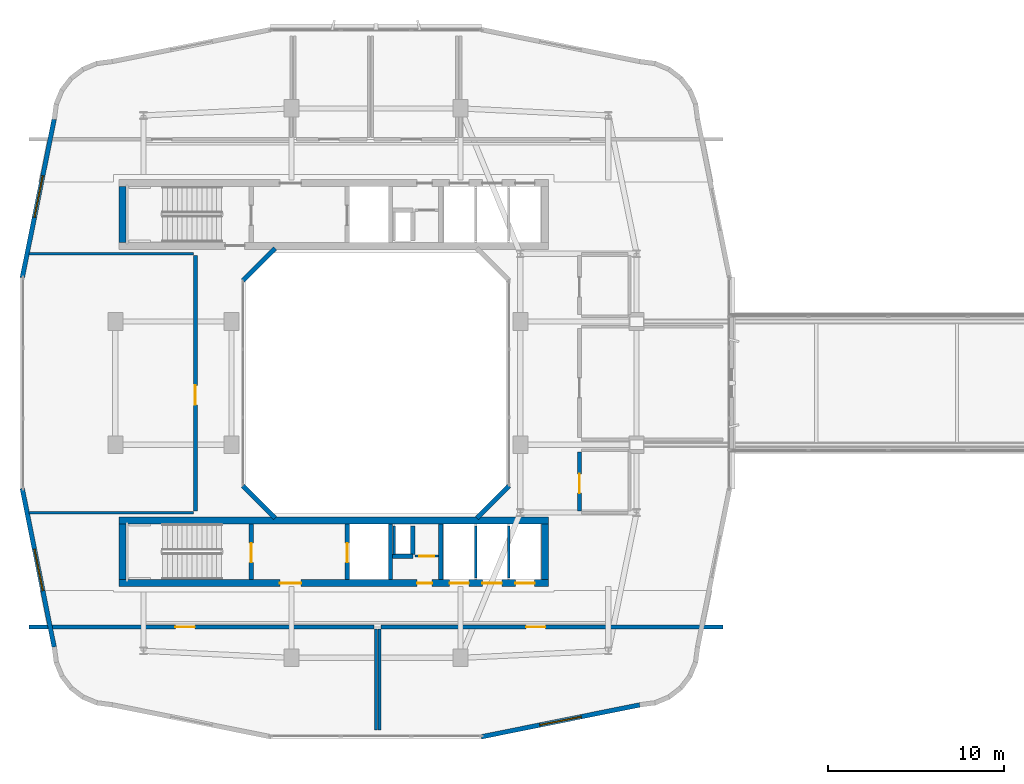
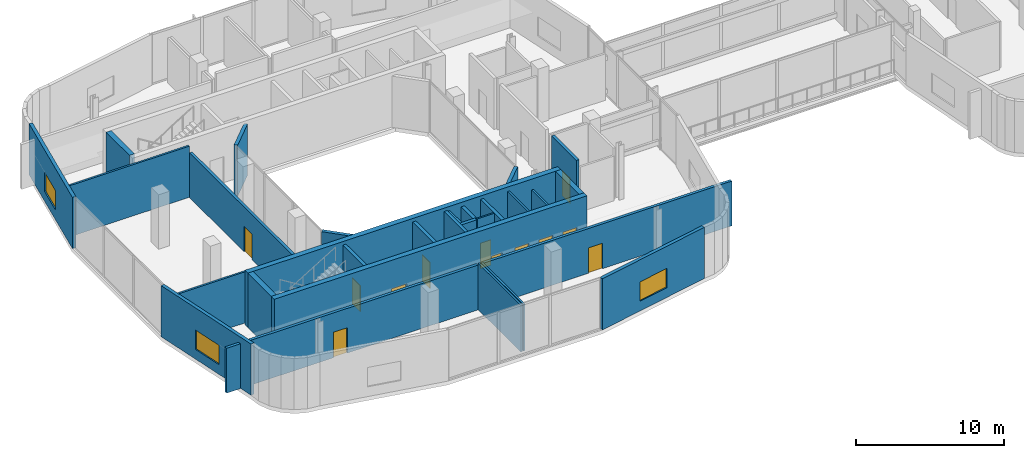
# One storey, part 14 of 24: 29 walls, 12 doors, 3 windows, 15 openings.
"""IFC4 building model written with IfcOpenShell, lengths in metres."""

from ifc_helpers import new_model, si_unit, derived_unit, direction, frame, frame_2d, origin, place, context, subcontext, project, spatial, rectangle, extrude, material, layer, layer_set, type_object, element, fill, save


model = new_model("IFC4")

# Units and contexts
model_context = context("Model", 3, precision=1e-05, world=origin(), true_north=direction((0.0, 1.0)))
body_context = subcontext(model_context, "Body", "Model", "MODEL_VIEW")
ifc_project = project(units=[si_unit("LENGTHUNIT", "METRE"), si_unit("AREAUNIT", "SQUARE_METRE"), si_unit("VOLUMEUNIT", "CUBIC_METRE"), si_unit("PLANEANGLEUNIT", "RADIAN"), si_unit("MASSUNIT", "GRAM", prefix="KILO"), derived_unit("THERMALTRANSMITTANCEUNIT", [(si_unit("POWERUNIT", "WATT"), 1), (si_unit("LENGTHUNIT", "METRE"), -2), (si_unit("THERMODYNAMICTEMPERATUREUNIT", "KELVIN"), -1)])], contexts=[model_context])

# Site, building, storey
site_placement = place(None, origin())
site = spatial("IfcSite", under=ifc_project, at=site_placement, CompositionType="ELEMENT")
building_placement = place(site_placement, origin())
building = spatial("IfcBuilding", under=site, at=building_placement, Name="Kivonza Crest Hotel", CompositionType="ELEMENT")
storey_placement = place(building_placement, frame((0.0, 0.0, 119.5)))
storey = spatial("IfcBuildingStorey", under=building, at=storey_placement, Name="L32", CompositionType="ELEMENT", Elevation=119.5)

# Wall, opening, door
ifc_material_1 = material(Name="Autoclaved aerated concrete blockwork", Category="masonry")
ifc_layer_1 = layer(ifc_material_1, 0.219970703125)
ifc_layer_set_1 = layer_set([ifc_layer_1], Name="Autoclaved aerated concrete blockwork")
wall_type_1 = type_object("IfcWallType", Name="WL-ACOU-220", PredefinedType="SOLIDWALL", material=ifc_layer_set_1)
wall_1_placement = place(storey_placement, frame((32.56005859375, 17.75, 0.0), z_axis=(0.0, 0.0, 1.0), x_axis=(0.0, 1.0, 0.0)))
wall_1 = element("IfcWall", 1, at=wall_1_placement, inside=storey, type_object=wall_type_1, Name="L32 interior partition WA-L32-SKYLOB-S-W", PredefinedType="SOLIDWALL", context=body_context, shape_type="SweptSolid", body=[
    extrude(rectangle(XDim=3.35009765625, YDim=0.219970703125, at=frame_2d((1.675048828125, 0.0))), origin(), (0.0, 0.0, 1.0), 4.219970703125),
])
opening_1_placement = place(wall_1_placement, frame((1.0029296875, 0.0, 0.0)))
opening_1 = element("IfcOpeningElement", 2, at=opening_1_placement, cuts=wall_1, Name="Opening DF-60M", PredefinedType="OPENING", context=body_context, shape_type="SweptSolid", body=[
    extrude(rectangle(XDim=1.10009765625, YDim=2.10009765625, at=frame_2d((0.550048828125, 1.050048828125))), frame((0.0, 0.1201171875, 0.0), z_axis=(0.0, -1.0, 0.0), x_axis=(1.0, 0.0, 0.0)), (0.0, 0.0, 1.0), 0.239990234375),
])
ifc_material_2 = material(Name="Hardwood timber oak", Category="wood")
door_type_1 = type_object("IfcDoorType", Name="DR-FD60-1100", OperationType="NOTDEFINED", PredefinedType="DOOR", material=ifc_material_2)
door_1_placement = place(opening_1_placement, frame((1.10009765625, 0.0, 0.0), z_axis=(0.0, 0.0, 1.0), x_axis=(-1.0, 0.0, 0.0)))
door_1 = element("IfcDoor", 3, at=door_1_placement, inside=storey, type_object=door_type_1, Name="L32 Sky Lobby South Lounge door", OperationType="SINGLE_SWING_RIGHT", OverallHeight=2.10009765625, OverallWidth=1.10009765625, PredefinedType="DOOR", context=body_context, shape_type="SweptSolid", body=[
    extrude(rectangle(XDim=1.10009765625, YDim=2.10009765625, at=frame_2d((0.550048828125, 1.050048828125))), frame((0.0, 0.02490234375, 0.0), z_axis=(0.0, -1.0, 0.0), x_axis=(1.0, 0.0, 0.0)), (0.0, 0.0, 1.0), 0.050048828125),
])
fill(opening_1, door_1)

wall_2_placement = place(storey_placement, frame((10.75, 17.75, 0.0), z_axis=(0.0, 0.0, 1.0), x_axis=(0.0, 1.0, 0.0)))
wall_2 = element("IfcWall", 4, at=wall_2_placement, inside=storey, type_object=wall_type_1, Name="L32 interior partition WA-L32-SKYBAR-E", PredefinedType="SOLIDWALL", context=body_context, shape_type="SweptSolid", body=[
    extrude(rectangle(XDim=14.5, YDim=0.219970703125, at=frame_2d((7.25, 0.0))), origin(), (0.0, 0.0, 1.0), 3.695068359375),
])
opening_2_placement = place(wall_2_placement, frame((6.02001953125, 0.0, 0.0)))
opening_2 = element("IfcOpeningElement", 5, at=opening_2_placement, cuts=wall_2, Name="Opening DF-60M", PredefinedType="OPENING", context=body_context, shape_type="SweptSolid", body=[
    extrude(rectangle(XDim=1.10009765625, YDim=2.10009765625, at=frame_2d((0.550048828125, 1.050048828125))), frame((0.0, 0.1201171875, 0.0), z_axis=(0.0, -1.0, 0.0), x_axis=(1.0, 0.0, 0.0)), (0.0, 0.0, 1.0), 0.239990234375),
])
door_2_placement = place(opening_2_placement, origin())
door_2 = element("IfcDoor", 6, at=door_2_placement, inside=storey, type_object=door_type_1, Name="L32 Panoramic Sky Bar door", OperationType="SINGLE_SWING_RIGHT", OverallHeight=2.10009765625, OverallWidth=1.10009765625, PredefinedType="DOOR", context=body_context, shape_type="SweptSolid", body=[
    extrude(rectangle(XDim=1.10009765625, YDim=2.10009765625, at=frame_2d((0.550048828125, 1.050048828125))), frame((0.0, 0.02490234375, 0.0), z_axis=(0.0, -1.0, 0.0), x_axis=(1.0, 0.0, 0.0)), (0.0, 0.0, 1.0), 0.050048828125),
])
fill(opening_2, door_2)

wall_3_placement = place(storey_placement, frame((1.300048828125, 11.14990234375, 0.0), z_axis=(0.0, 0.0, 1.0), x_axis=(1.0, 0.0, 0.0)))
wall_3 = element("IfcWall", 7, at=wall_3_placement, inside=storey, type_object=wall_type_1, Name="L32 interior partition WA-L32-SKYPAN-N", PredefinedType="SOLIDWALL", context=body_context, shape_type="SweptSolid", body=[
    extrude(rectangle(XDim=19.599853515625, YDim=0.219970703125, at=frame_2d((9.7998046875, 0.0))), origin(), (0.0, 0.0, 1.0), 3.695068359375),
])
opening_3_placement = place(wall_3_placement, frame((8.31494140625, 0.0, 0.0)))
opening_3 = element("IfcOpeningElement", 8, at=opening_3_placement, cuts=wall_3, Name="Opening DF-60M", PredefinedType="OPENING", context=body_context, shape_type="SweptSolid", body=[
    extrude(rectangle(XDim=1.10009765625, YDim=2.10009765625, at=frame_2d((0.550048828125, 1.050048828125))), frame((0.0, 0.1201171875, 0.0), z_axis=(0.0, -1.0, 0.0), x_axis=(1.0, 0.0, 0.0)), (0.0, 0.0, 1.0), 0.239990234375),
])
door_3_placement = place(opening_3_placement, frame((1.10009765625, 0.0, 0.0), z_axis=(0.0, 0.0, 1.0), x_axis=(-1.0, 0.0, 0.0)))
door_3 = element("IfcDoor", 9, at=door_3_placement, inside=storey, type_object=door_type_1, Name="L32 Sky Bar Catering Kitchen door", OperationType="SINGLE_SWING_LEFT", OverallHeight=2.10009765625, OverallWidth=1.10009765625, PredefinedType="DOOR", context=body_context, shape_type="SweptSolid", body=[
    extrude(rectangle(XDim=1.10009765625, YDim=2.10009765625, at=frame_2d((0.550048828125, 1.050048828125))), frame((0.0, 0.02490234375, 0.0), z_axis=(0.0, -1.0, 0.0), x_axis=(1.0, 0.0, 0.0)), (0.0, 0.0, 1.0), 0.050048828125),
])
fill(opening_3, door_3)

wall_4_placement = place(storey_placement, frame((21.300048828125, 11.14990234375, 0.0), z_axis=(0.0, 0.0, 1.0), x_axis=(1.0, 0.0, 0.0)))
wall_4 = element("IfcWall", 10, at=wall_4_placement, inside=storey, type_object=wall_type_1, Name="L32 interior partition WA-L32-SKYHK-N", PredefinedType="SOLIDWALL", context=body_context, shape_type="SweptSolid", body=[
    extrude(rectangle(XDim=19.39990234375, YDim=0.219970703125, at=frame_2d((9.699951171875, 0.0))), origin(), (0.0, 0.0, 1.0), 3.695068359375),
])
opening_4_placement = place(wall_4_placement, frame((8.22509765625, 0.0, 0.0)))
opening_4 = element("IfcOpeningElement", 11, at=opening_4_placement, cuts=wall_4, Name="Opening DF-60M", PredefinedType="OPENING", context=body_context, shape_type="SweptSolid", body=[
    extrude(rectangle(XDim=1.10009765625, YDim=2.10009765625, at=frame_2d((0.550048828125, 1.050048828125))), frame((0.0, 0.1201171875, 0.0), z_axis=(0.0, -1.0, 0.0), x_axis=(1.0, 0.0, 0.0)), (0.0, 0.0, 1.0), 0.239990234375),
])
door_4_placement = place(opening_4_placement, frame((1.10009765625, 0.0, 0.0), z_axis=(0.0, 0.0, 1.0), x_axis=(-1.0, 0.0, 0.0)))
door_4 = element("IfcDoor", 12, at=door_4_placement, inside=storey, type_object=door_type_1, Name="L32 Sky Lobby Housekeeping Room door", OperationType="SINGLE_SWING_RIGHT", OverallHeight=2.10009765625, OverallWidth=1.10009765625, PredefinedType="DOOR", context=body_context, shape_type="SweptSolid", body=[
    extrude(rectangle(XDim=1.10009765625, YDim=2.10009765625, at=frame_2d((0.550048828125, 1.050048828125))), frame((0.0, 0.02490234375, 0.0), z_axis=(0.0, -1.0, 0.0), x_axis=(1.0, 0.0, 0.0)), (0.0, 0.0, 1.0), 0.050048828125),
])
fill(opening_4, door_4)

# Wall
ifc_material_3 = material(Name="Concrete C50/60", Category="concrete")
ifc_layer_2 = layer(ifc_material_3, 0.39990234375)
ifc_layer_set_2 = layer_set([ifc_layer_2], Name="Concrete C50/60")
wall_type_2 = type_object("IfcWallType", Name="WL-CORE-400", PredefinedType="SHEAR", material=ifc_layer_set_2)
wall_5_placement = place(storey_placement, frame((6.60009765625, 33.0, 0.0), z_axis=(0.0, 0.0, 1.0), x_axis=(0.0, 1.0, 0.0)))
element("IfcWall", 13, at=wall_5_placement, inside=storey, type_object=wall_type_2, Name="Core wall T1-N West L32", PredefinedType="SHEAR", context=body_context, shape_type="SweptSolid", body=[
    extrude(rectangle(XDim=3.159912109375, YDim=0.39990234375, at=frame_2d((1.580078125, 0.0))), origin(), (0.0, 0.0, 1.0), 4.5),
])

# Wall, openings, doors
wall_6_placement = place(storey_placement, frame((6.39990234375, 13.639892578125, 0.0), z_axis=(0.0, 0.0, 1.0), x_axis=(1.0, 0.0, 0.0)))
wall_6 = element("IfcWall", 14, at=wall_6_placement, inside=storey, type_object=wall_type_2, Name="Core wall T1-S South L32", PredefinedType="SHEAR", context=body_context, shape_type="SweptSolid", body=[
    extrude(rectangle(XDim=24.400146484375, YDim=0.39990234375, at=frame_2d((12.2001953125, 0.0))), origin(), (0.0, 0.0, 1.0), 4.5),
])
opening_5_placement = place(wall_6_placement, frame((9.14990234375, 0.0, 0.0)))
opening_5 = element("IfcOpeningElement", 15, at=opening_5_placement, cuts=wall_6, Name="Opening DF-60", PredefinedType="OPENING", context=body_context, shape_type="SweptSolid", body=[
    extrude(rectangle(XDim=1.199951171875, YDim=2.14990234375, at=frame_2d((0.60009765625, 1.074951171875))), frame((0.0, 0.2099609375, 0.0), z_axis=(0.0, -1.0, 0.0), x_axis=(1.0, 0.0, 0.0)), (0.0, 0.0, 1.0), 0.419921875),
])
opening_6_placement = place(wall_6_placement, frame((16.93994140625, 0.0, 0.0)))
opening_6 = element("IfcOpeningElement", 16, at=opening_6_placement, cuts=wall_6, Name="Opening DF-60R", PredefinedType="OPENING", context=body_context, shape_type="SweptSolid", body=[
    extrude(rectangle(XDim=0.85009765625, YDim=2.10009765625, at=frame_2d((0.425048828125, 1.050048828125))), frame((0.0, 0.2099609375, 0.0), z_axis=(0.0, -1.0, 0.0), x_axis=(1.0, 0.0, 0.0)), (0.0, 0.0, 1.0), 0.419921875),
])
opening_7_placement = place(wall_6_placement, frame((18.782958984375, 0.0, 0.0)))
opening_7 = element("IfcOpeningElement", 17, at=opening_7_placement, cuts=wall_6, Name="Opening LD-120", PredefinedType="OPENING", context=body_context, shape_type="SweptSolid", body=[
    extrude(rectangle(XDim=1.10009765625, YDim=2.14990234375, at=frame_2d((0.550048828125, 1.074951171875))), frame((0.0, 0.2099609375, 0.0), z_axis=(0.0, -1.0, 0.0), x_axis=(1.0, 0.0, 0.0)), (0.0, 0.0, 1.0), 0.419921875),
])
opening_8_placement = place(wall_6_placement, frame((20.64990234375, 0.0, 0.0)))
opening_8 = element("IfcOpeningElement", 18, at=opening_8_placement, cuts=wall_6, Name="Opening LD-120", PredefinedType="OPENING", context=body_context, shape_type="SweptSolid", body=[
    extrude(rectangle(XDim=1.10009765625, YDim=2.14990234375, at=frame_2d((0.550048828125, 1.074951171875))), frame((0.0, 0.2099609375, 0.0), z_axis=(0.0, -1.0, 0.0), x_axis=(1.0, 0.0, 0.0)), (0.0, 0.0, 1.0), 0.419921875),
])
opening_9_placement = place(wall_6_placement, frame((22.51708984375, 0.0, 0.0)))
opening_9 = element("IfcOpeningElement", 19, at=opening_9_placement, cuts=wall_6, Name="Opening LD-120", PredefinedType="OPENING", context=body_context, shape_type="SweptSolid", body=[
    extrude(rectangle(XDim=1.10009765625, YDim=2.14990234375, at=frame_2d((0.550048828125, 1.074951171875))), frame((0.0, 0.2099609375, 0.0), z_axis=(0.0, -1.0, 0.0), x_axis=(1.0, 0.0, 0.0)), (0.0, 0.0, 1.0), 0.419921875),
])
door_type_2 = type_object("IfcDoorType", Name="DR-FD60-1200", OperationType="NOTDEFINED", PredefinedType="DOOR", material=ifc_material_2)
door_5_placement = place(opening_5_placement, frame((1.199951171875, 0.0, 0.0), z_axis=(0.0, 0.0, 1.0), x_axis=(-1.0, 0.0, 0.0)))
door_5 = element("IfcDoor", 20, at=door_5_placement, inside=storey, type_object=door_type_2, Name="L32 T1-S firefighting lobby fire door", OperationType="SINGLE_SWING_LEFT", OverallHeight=2.14990234375, OverallWidth=1.199951171875, PredefinedType="DOOR", context=body_context, shape_type="SweptSolid", body=[
    extrude(rectangle(XDim=1.199951171875, YDim=2.14990234375, at=frame_2d((0.60009765625, 1.074951171875))), frame((0.0, 0.02490234375, 0.0), z_axis=(0.0, -1.0, 0.0), x_axis=(1.0, 0.0, 0.0)), (0.0, 0.0, 1.0), 0.050048828125),
])
fill(opening_5, door_5)
door_type_3 = type_object("IfcDoorType", Name="DR-FD60-850", OperationType="NOTDEFINED", PredefinedType="DOOR", material=ifc_material_2)
door_6_placement = place(opening_6_placement, frame((0.85009765625, 0.0, 0.0), z_axis=(0.0, 0.0, 1.0), x_axis=(-1.0, 0.0, 0.0)))
door_6 = element("IfcDoor", 21, at=door_6_placement, inside=storey, type_object=door_type_3, Name="L32 T1-S core room door", OperationType="SINGLE_SWING_RIGHT", OverallHeight=2.10009765625, OverallWidth=0.85009765625, PredefinedType="DOOR", context=body_context, shape_type="SweptSolid", body=[
    extrude(rectangle(XDim=0.85009765625, YDim=2.10009765625, at=frame_2d((0.425048828125, 1.050048828125))), frame((0.0, 0.02490234375, 0.0), z_axis=(0.0, -1.0, 0.0), x_axis=(1.0, 0.0, 0.0)), (0.0, 0.0, 1.0), 0.050048828125),
])
fill(opening_6, door_6)
ifc_material_4 = material(Name="Stainless steel", Category="steel")
door_type_4 = type_object("IfcDoorType", Name="DR-LD120-1100", OperationType="NOTDEFINED", PredefinedType="DOOR", material=ifc_material_4)
door_7_placement = place(opening_7_placement, frame((1.10009765625, 0.0, 0.0), z_axis=(0.0, 0.0, 1.0), x_axis=(-1.0, 0.0, 0.0)))
door_7 = element("IfcDoor", 22, at=door_7_placement, inside=storey, type_object=door_type_4, Name="L32 PL-T1-H1 passenger lift sliding landing door", OperationType="DOUBLE_DOOR_SLIDING", OverallHeight=2.14990234375, OverallWidth=1.10009765625, PredefinedType="DOOR", context=body_context, shape_type="SweptSolid", body=[
    extrude(rectangle(XDim=1.10009765625, YDim=2.14990234375, at=frame_2d((0.550048828125, 1.074951171875))), frame((0.0, 0.02490234375, 0.0), z_axis=(0.0, -1.0, 0.0), x_axis=(1.0, 0.0, 0.0)), (0.0, 0.0, 1.0), 0.050048828125),
])
fill(opening_7, door_7)
door_8_placement = place(opening_8_placement, frame((1.10009765625, 0.0, 0.0), z_axis=(0.0, 0.0, 1.0), x_axis=(-1.0, 0.0, 0.0)))
door_8 = element("IfcDoor", 23, at=door_8_placement, inside=storey, type_object=door_type_4, Name="L32 PL-T1-H2 passenger lift sliding landing door", OperationType="DOUBLE_DOOR_SLIDING", OverallHeight=2.14990234375, OverallWidth=1.10009765625, PredefinedType="DOOR", context=body_context, shape_type="SweptSolid", body=[
    extrude(rectangle(XDim=1.10009765625, YDim=2.14990234375, at=frame_2d((0.550048828125, 1.074951171875))), frame((0.0, 0.02490234375, 0.0), z_axis=(0.0, -1.0, 0.0), x_axis=(1.0, 0.0, 0.0)), (0.0, 0.0, 1.0), 0.050048828125),
])
fill(opening_8, door_8)
door_9_placement = place(opening_9_placement, frame((1.10009765625, 0.0, 0.0), z_axis=(0.0, 0.0, 1.0), x_axis=(-1.0, 0.0, 0.0)))
door_9 = element("IfcDoor", 24, at=door_9_placement, inside=storey, type_object=door_type_4, Name="L32 PL-T1-H3 passenger lift sliding landing door", OperationType="DOUBLE_DOOR_SLIDING", OverallHeight=2.14990234375, OverallWidth=1.10009765625, PredefinedType="DOOR", context=body_context, shape_type="SweptSolid", body=[
    extrude(rectangle(XDim=1.10009765625, YDim=2.14990234375, at=frame_2d((0.550048828125, 1.074951171875))), frame((0.0, 0.02490234375, 0.0), z_axis=(0.0, -1.0, 0.0), x_axis=(1.0, 0.0, 0.0)), (0.0, 0.0, 1.0), 0.050048828125),
])
fill(opening_9, door_9)

# Walls
wall_7_placement = place(storey_placement, frame((6.39990234375, 17.199951171875, 0.0), z_axis=(0.0, 0.0, 1.0), x_axis=(1.0, 0.0, 0.0)))
element("IfcWall", 25, at=wall_7_placement, inside=storey, type_object=wall_type_2, Name="Core wall T1-S North L32", PredefinedType="SHEAR", context=body_context, shape_type="SweptSolid", body=[
    extrude(rectangle(XDim=24.400146484375, YDim=0.39990234375, at=frame_2d((12.2001953125, 0.0))), origin(), (0.0, 0.0, 1.0), 4.5),
])
for number, where, z_axis, x_axis, name in (
    (26, (6.60009765625, 13.840087890625, 0.0), (0.0, 0.0, 1.0), (0.0, 1.0, 0.0), "Core wall T1-S West L32"),
    (27, (30.60009765625, 13.840087890625, 0.0), (0.0, 0.0, 1.0), (0.0, 1.0, 0.0), "Core wall T1-S East L32"),
):
    element("IfcWall", number, at=place(storey_placement, frame(where, z_axis=z_axis, x_axis=x_axis)), inside=storey, type_object=wall_type_2, Name=name, PredefinedType="SHEAR", context=body_context, shape_type="SweptSolid", body=[
        extrude(rectangle(XDim=3.159912109375, YDim=0.39990234375, at=frame_2d((1.580078125, 0.0))), origin(), (0.0, 0.0, 1.0), 4.5),
    ])

# Wall, opening, window
ifc_material_5 = material(Name="Precast concrete C40/50", Category="concrete")
ifc_layer_3 = layer(ifc_material_5, 0.260009765625)
ifc_layer_set_3 = layer_set([ifc_layer_3], Name="Precast concrete C40/50")
wall_type_3 = type_object("IfcWallType", Name="WL-EXT-260", PredefinedType="STANDARD", material=ifc_layer_set_3)
wall_8_placement = place(storey_placement, frame((26.97998046875, 4.916015625, 0.0), z_axis=(0.0, 0.0, 1.0), x_axis=(0.980315963543, 0.197435082048, 0.0)))
wall_8 = element("IfcWall", 28, at=wall_8_placement, inside=storey, type_object=wall_type_3, Name="L32 T1 exterior insulated wall 9", PredefinedType="STANDARD", context=body_context, shape_type="SweptSolid", body=[
    extrude(rectangle(XDim=9.1826171875, YDim=0.260009765625, at=frame_2d((4.59130859375, 0.0))), origin(), (0.0, 0.0, 1.0), 4.219970703125),
])
opening_10_placement = place(wall_8_placement, frame((3.39111328125, 0.0, 0.800048828125)))
opening_10 = element("IfcOpeningElement", 29, at=opening_10_placement, cuts=wall_8, Name="Opening WN-05", PredefinedType="OPENING", context=body_context, shape_type="SweptSolid", body=[
    extrude(rectangle(XDim=2.39990234375, YDim=1.60009765625, at=frame_2d((1.199951171875, 0.800048828125))), frame((0.0, 0.14013671875, 0.0), z_axis=(0.0, -1.0, 0.0), x_axis=(1.0, 0.0, 0.0)), (0.0, 0.0, 1.0), 0.280029296875),
])
ifc_material_6 = material(Name="Thermally broken bronze aluminium and low-E double glazing", Category="aluminium")
window_type = type_object("IfcWindowType", Name="WN-240x160", PartitioningType="TRIPLE_PANEL_VERTICAL", PredefinedType="WINDOW", material=ifc_material_6)
window_1_placement = place(opening_10_placement, origin())
window_1 = element("IfcWindow", 30, at=window_1_placement, inside=storey, type_object=window_type, Name="L32 T1 facade window 9", OverallHeight=1.60009765625, OverallWidth=2.39990234375, PartitioningType="SINGLE_PANEL", PredefinedType="WINDOW", context=body_context, shape_type="SweptSolid", body=[
    extrude(rectangle(XDim=2.39990234375, YDim=1.60009765625, at=frame_2d((1.199951171875, 0.800048828125))), frame((0.0, 0.030029296875, 0.0), z_axis=(0.0, -1.0, 0.0), x_axis=(1.0, 0.0, 0.0)), (0.0, 0.0, 1.0), 0.06005859375),
])
fill(opening_10, window_1)

wall_9_placement = place(storey_placement, frame((2.72900390625, 39.98193359375, 0.0), z_axis=(0.0, 0.0, 1.0), x_axis=(-0.197435082048, -0.980315963543, 0.0)))
wall_9 = element("IfcWall", 31, at=wall_9_placement, inside=storey, type_object=wall_type_3, Name="L32 T1 exterior insulated wall 34", PredefinedType="STANDARD", context=body_context, shape_type="SweptSolid", body=[
    extrude(rectangle(XDim=9.1826171875, YDim=0.260009765625, at=frame_2d((4.59130859375, 0.0))), origin(), (0.0, 0.0, 1.0), 4.219970703125),
])
opening_11_placement = place(wall_9_placement, frame((3.27001953125, 0.0, 0.800048828125)))
opening_11 = element("IfcOpeningElement", 32, at=opening_11_placement, cuts=wall_9, Name="Opening WN-05", PredefinedType="OPENING", context=body_context, shape_type="SweptSolid", body=[
    extrude(rectangle(XDim=2.39990234375, YDim=1.60009765625, at=frame_2d((1.199951171875, 0.800048828125))), frame((0.0, 0.14013671875, 0.0), z_axis=(0.0, -1.0, 0.0), x_axis=(1.0, 0.0, 0.0)), (0.0, 0.0, 1.0), 0.280029296875),
])
window_2_placement = place(opening_11_placement, origin())
window_2 = element("IfcWindow", 33, at=window_2_placement, inside=storey, type_object=window_type, Name="L32 T1 facade window 34", OverallHeight=1.60009765625, OverallWidth=2.39990234375, PartitioningType="SINGLE_PANEL", PredefinedType="WINDOW", context=body_context, shape_type="SweptSolid", body=[
    extrude(rectangle(XDim=2.39990234375, YDim=1.60009765625, at=frame_2d((1.199951171875, 0.800048828125))), frame((0.0, 0.030029296875, 0.0), z_axis=(0.0, -1.0, 0.0), x_axis=(1.0, 0.0, 0.0)), (0.0, 0.0, 1.0), 0.06005859375),
])
fill(opening_11, window_2)

wall_10_placement = place(storey_placement, frame((0.916015625, 19.02001953125, 0.0), z_axis=(0.0, 0.0, 1.0), x_axis=(0.197435082048, -0.980315963543, 0.0)))
wall_10 = element("IfcWall", 34, at=wall_10_placement, inside=storey, type_object=wall_type_3, Name="L32 T1 exterior insulated wall 36", PredefinedType="STANDARD", context=body_context, shape_type="SweptSolid", body=[
    extrude(rectangle(XDim=9.1826171875, YDim=0.260009765625, at=frame_2d((4.59130859375, 0.0))), origin(), (0.0, 0.0, 1.0), 4.219970703125),
])
opening_12_placement = place(wall_10_placement, frame((3.512939453125, 0.0, 0.800048828125)))
opening_12 = element("IfcOpeningElement", 35, at=opening_12_placement, cuts=wall_10, Name="Opening WN-05", PredefinedType="OPENING", context=body_context, shape_type="SweptSolid", body=[
    extrude(rectangle(XDim=2.39990234375, YDim=1.60009765625, at=frame_2d((1.199951171875, 0.800048828125))), frame((0.0, 0.14013671875, 0.0), z_axis=(0.0, -1.0, 0.0), x_axis=(1.0, 0.0, 0.0)), (0.0, 0.0, 1.0), 0.280029296875),
])
window_3_placement = place(opening_12_placement, origin())
window_3 = element("IfcWindow", 36, at=window_3_placement, inside=storey, type_object=window_type, Name="L32 T1 facade window 36", OverallHeight=1.60009765625, OverallWidth=2.39990234375, PartitioningType="SINGLE_PANEL", PredefinedType="WINDOW", context=body_context, shape_type="SweptSolid", body=[
    extrude(rectangle(XDim=2.39990234375, YDim=1.60009765625, at=frame_2d((1.199951171875, 0.800048828125))), frame((0.0, 0.030029296875, 0.0), z_axis=(0.0, -1.0, 0.0), x_axis=(1.0, 0.0, 0.0)), (0.0, 0.0, 1.0), 0.06005859375),
])
fill(opening_12, window_3)

# Walls
for number, where, z_axis, x_axis, name in (
    (37, (26.721923828125, 17.337890625, 0.0), (0.0, 0.0, 1.0), (0.707059717605, 0.707153841636, 0.0), "L32 T1 light-well exterior wall 2"),
    (38, (15.278076171875, 32.662109375, 0.0), (0.0, 0.0, 1.0), (-0.707059717605, -0.707153841636, 0.0), "L32 T1 light-well exterior wall 6"),
    (39, (13.444091796875, 19.172119140625, 0.0), (0.0, 0.0, 1.0), (0.707059717605, -0.707153841636, 0.0), "L32 T1 light-well exterior wall 8"),
):
    element("IfcWall", number, at=place(storey_placement, frame(where, z_axis=z_axis, x_axis=x_axis)), inside=storey, type_object=wall_type_3, Name=name, PredefinedType="STANDARD", context=body_context, shape_type="SweptSolid", body=[
        extrude(rectangle(XDim=2.59375, YDim=0.260009765625, at=frame_2d((1.296875, 0.0))), origin(), (0.0, 0.0, 1.0), 4.219970703125),
    ])
ifc_material_7 = material(Name="Concrete blockwork fire-compartment wall", Category="masonry")
ifc_layer_4 = layer(ifc_material_7, 0.25)
ifc_layer_set_4 = layer_set([ifc_layer_4], Name="Concrete blockwork fire-compartment wall")
wall_type_4 = type_object("IfcWallType", Name="WL-FIRE-250", PredefinedType="SOLIDWALL", material=ifc_layer_set_4)
wall_11_placement = place(storey_placement, frame((23.10009765625, 15.280029296875, 0.0), z_axis=(0.0, 0.0, 1.0), x_axis=(0.0, 1.0, 0.0)))
element("IfcWall", 40, at=wall_11_placement, inside=storey, type_object=wall_type_4, Name="L32 interior partition WA-L32-T1-S-MEPR-E", PredefinedType="SOLIDWALL", context=body_context, shape_type="SweptSolid", body=[
    extrude(rectangle(XDim=1.619873046875, YDim=0.25, at=frame_2d((0.81005859375, 0.0))), origin(), (0.0, 0.0, 1.0), 4.219970703125),
])
wall_12_placement = place(storey_placement, frame((21.949951171875, 15.179931640625, 0.0), z_axis=(0.0, 0.0, 1.0), x_axis=(1.0, 0.0, 0.0)))
element("IfcWall", 41, at=wall_12_placement, inside=storey, type_object=wall_type_4, Name="L32 interior partition WA-L32-T1-S-MEPR-H", PredefinedType="SOLIDWALL", context=body_context, shape_type="SweptSolid", body=[
    extrude(rectangle(XDim=1.150146484375, YDim=0.25, at=frame_2d((0.5751953125, 0.0))), origin(), (0.0, 0.0, 1.0), 4.219970703125),
])

# Wall, opening, door
ifc_material_8 = material(Name="Metal-stud gypsum board partition", Category="gypsum")
ifc_layer_5 = layer(ifc_material_8, 0.125)
ifc_layer_set_5 = layer_set([ifc_layer_5], Name="Metal-stud gypsum board partition")
wall_type_5 = type_object("IfcWallType", Name="WL-PART-125", PredefinedType="PARTITIONING", material=ifc_layer_set_5)
wall_13_placement = place(storey_placement, frame((23.219970703125, 15.179931640625, 0.0), z_axis=(0.0, 0.0, 1.0), x_axis=(1.0, 0.0, 0.0)))
wall_13 = element("IfcWall", 42, at=wall_13_placement, inside=storey, type_object=wall_type_5, Name="L32 interior partition WP-L32-T1-S-SV3H", PredefinedType="PARTITIONING", context=body_context, shape_type="SweptSolid", body=[
    extrude(rectangle(XDim=1.330078125, YDim=0.125, at=frame_2d((0.6650390625, 0.0))), origin(), (0.0, 0.0, 1.0), 4.219970703125),
])
opening_13_placement = place(wall_13_placement, frame((0.239990234375, 0.0, 0.0)))
opening_13 = element("IfcOpeningElement", 43, at=opening_13_placement, cuts=wall_13, Name="Opening DI-85", PredefinedType="OPENING", context=body_context, shape_type="SweptSolid", body=[
    extrude(rectangle(XDim=0.85009765625, YDim=2.10009765625, at=frame_2d((0.425048828125, 1.050048828125))), frame((0.0, 0.072509765625, 0.0), z_axis=(0.0, -1.0, 0.0), x_axis=(1.0, 0.0, 0.0)), (0.0, 0.0, 1.0), 0.14501953125),
])
door_type_5 = type_object("IfcDoorType", Name="DR-INT-850", OperationType="NOTDEFINED", PredefinedType="DOOR", material=ifc_material_2)
door_10_placement = place(opening_13_placement, origin())
door_10 = element("IfcDoor", 44, at=door_10_placement, inside=storey, type_object=door_type_5, Name="L32 T1-S inner manifold door", OperationType="SINGLE_SWING_LEFT", OverallHeight=2.10009765625, OverallWidth=0.85009765625, PredefinedType="DOOR", context=body_context, shape_type="SweptSolid", body=[
    extrude(rectangle(XDim=0.85009765625, YDim=2.10009765625, at=frame_2d((0.425048828125, 1.050048828125))), frame((0.0, 0.02490234375, 0.0), z_axis=(0.0, -1.0, 0.0), x_axis=(1.0, 0.0, 0.0)), (0.0, 0.0, 1.0), 0.050048828125),
])
fill(opening_13, door_10)

# Walls
ifc_material_9 = material(Name="Twin-stud acoustic gypsum board partition", Category="gypsum")
ifc_layer_6 = layer(ifc_material_9, 0.14990234375)
ifc_layer_set_6 = layer_set([ifc_layer_6], Name="Twin-stud acoustic gypsum board partition")
wall_type_6 = type_object("IfcWallType", Name="WL-PART-150", PredefinedType="PARTITIONING", material=ifc_layer_set_6)
wall_14_placement = place(storey_placement, frame((22.030029296875, 15.280029296875, 0.0), z_axis=(0.0, 0.0, 1.0), x_axis=(0.0, 1.0, 0.0)))
element("IfcWall", 45, at=wall_14_placement, inside=storey, type_object=wall_type_6, Name="L32 interior partition WA-L32-T1-S-MEPR-W", PredefinedType="PARTITIONING", context=body_context, shape_type="SweptSolid", body=[
    extrude(rectangle(XDim=1.619873046875, YDim=0.14990234375, at=frame_2d((0.81005859375, 0.0))), origin(), (0.0, 0.0, 1.0), 4.219970703125),
])
wall_15_placement = place(storey_placement, frame((26.6669921875, 13.93994140625, 0.0), z_axis=(0.0, 0.0, 1.0), x_axis=(0.0, 1.0, 0.0)))
element("IfcWall", 46, at=wall_15_placement, inside=storey, type_object=wall_type_6, Name="L32 interior partition WP-L32-T1-S-BSH-1", PredefinedType="PARTITIONING", context=body_context, shape_type="SweptSolid", body=[
    extrude(rectangle(XDim=2.9599609375, YDim=0.14990234375, at=frame_2d((1.47998046875, 0.0))), origin(), (0.0, 0.0, 1.0), 4.219970703125),
])
wall_16_placement = place(storey_placement, frame((28.532958984375, 13.93994140625, 0.0), z_axis=(0.0, 0.0, 1.0), x_axis=(0.0, 1.0, 0.0)))
element("IfcWall", 47, at=wall_16_placement, inside=storey, type_object=wall_type_6, Name="L32 interior partition WP-L32-T1-S-BSH-2", PredefinedType="PARTITIONING", context=body_context, shape_type="SweptSolid", body=[
    extrude(rectangle(XDim=2.9599609375, YDim=0.14990234375, at=frame_2d((1.47998046875, 0.0))), origin(), (0.0, 0.0, 1.0), 3.695068359375),
])
for number, where, z_axis, x_axis, name in (
    (48, (1.300048828125, 17.64990234375, 0.0), (0.0, 0.0, 1.0), (1.0, 0.0, 0.0), "L32 interior partition WP-L32-SKYBAR-BS"),
    (49, (1.300048828125, 32.35009765625, 0.0), (0.0, 0.0, 1.0), (1.0, 0.0, 0.0), "L32 interior partition WP-L32-SKYBAR-BN"),
):
    element("IfcWall", number, at=place(storey_placement, frame(where, z_axis=z_axis, x_axis=x_axis)), inside=storey, type_object=wall_type_6, Name=name, PredefinedType="PARTITIONING", context=body_context, shape_type="SweptSolid", body=[
        extrude(rectangle(XDim=9.349853515625, YDim=0.14990234375, at=frame_2d((4.6748046875, 0.0))), origin(), (0.0, 0.0, 1.0), 4.219970703125),
    ])
for number, where, z_axis, x_axis, name in (
    (50, (21.0, 5.300048828125, 0.0), (0.0, 0.0, 1.0), (0.0, 1.0, 0.0), "L32 interior partition WP-L32-SKYPAN-BE"),
    (51, (21.199951171875, 5.300048828125, 0.0), (0.0, 0.0, 1.0), (0.0, 1.0, 0.0), "L32 interior partition WP-L32-SKYHK-BW"),
):
    element("IfcWall", number, at=place(storey_placement, frame(where, z_axis=z_axis, x_axis=x_axis)), inside=storey, type_object=wall_type_6, Name=name, PredefinedType="PARTITIONING", context=body_context, shape_type="SweptSolid", body=[
        extrude(rectangle(XDim=5.75, YDim=0.14990234375, at=frame_2d((2.875, 0.0))), origin(), (0.0, 0.0, 1.0), 3.8349609375),
    ])

# Wall, opening, door
ifc_layer_7 = layer(ifc_material_3, 0.25)
ifc_layer_set_7 = layer_set([ifc_layer_7], Name="Concrete C50/60")
wall_type_7 = type_object("IfcWallType", Name="WL-SHAFT-250", PredefinedType="STANDARD", material=ifc_layer_set_7)
wall_17_placement = place(storey_placement, frame((13.925048828125, 13.840087890625, 0.0), z_axis=(0.0, 0.0, 1.0), x_axis=(0.0, 1.0, 0.0)))
wall_17 = element("IfcWall", 52, at=wall_17_placement, inside=storey, type_object=wall_type_7, Name="Core shaft wall T1-S STAIR L32", PredefinedType="STANDARD", context=body_context, shape_type="SweptSolid", body=[
    extrude(rectangle(XDim=3.159912109375, YDim=0.25, at=frame_2d((1.580078125, 0.0))), origin(), (0.0, 0.0, 1.0), 4.219970703125),
])
opening_14_placement = place(wall_17_placement, frame((0.97998046875, 0.0, 0.0)))
opening_14 = element("IfcOpeningElement", 53, at=opening_14_placement, cuts=wall_17, Name="Opening DF-120", PredefinedType="OPENING", context=body_context, shape_type="SweptSolid", body=[
    extrude(rectangle(XDim=1.10009765625, YDim=2.14990234375, at=frame_2d((0.550048828125, 1.074951171875))), frame((0.0, 0.135009765625, 0.0), z_axis=(0.0, -1.0, 0.0), x_axis=(1.0, 0.0, 0.0)), (0.0, 0.0, 1.0), 0.27001953125),
])
ifc_material_10 = material(Name="Galvanised steel", Category="steel")
door_type_6 = type_object("IfcDoorType", Name="DR-FD120-1100", OperationType="NOTDEFINED", PredefinedType="DOOR", material=ifc_material_10)
door_11_placement = place(opening_14_placement, frame((1.10009765625, 0.0, 0.0), z_axis=(0.0, 0.0, 1.0), x_axis=(-1.0, 0.0, 0.0)))
door_11 = element("IfcDoor", 54, at=door_11_placement, inside=storey, type_object=door_type_6, Name="L32 T1-S stair fire door", OperationType="SINGLE_SWING_RIGHT", OverallHeight=2.14990234375, OverallWidth=1.10009765625, PredefinedType="DOOR", context=body_context, shape_type="SweptSolid", body=[
    extrude(rectangle(XDim=1.10009765625, YDim=2.14990234375, at=frame_2d((0.550048828125, 1.074951171875))), frame((0.0, 0.02490234375, 0.0), z_axis=(0.0, -1.0, 0.0), x_axis=(1.0, 0.0, 0.0)), (0.0, 0.0, 1.0), 0.050048828125),
])
fill(opening_14, door_11)

wall_18_placement = place(storey_placement, frame((19.375, 13.840087890625, 0.0), z_axis=(0.0, 0.0, 1.0), x_axis=(0.0, 1.0, 0.0)))
wall_18 = element("IfcWall", 55, at=wall_18_placement, inside=storey, type_object=wall_type_7, Name="Core shaft wall T1-S FFL-W L32", PredefinedType="STANDARD", context=body_context, shape_type="SweptSolid", body=[
    extrude(rectangle(XDim=3.159912109375, YDim=0.25, at=frame_2d((1.580078125, 0.0))), origin(), (0.0, 0.0, 1.0), 4.219970703125),
])
opening_15_placement = place(wall_18_placement, frame((0.97998046875, 0.0, 0.0)))
opening_15 = element("IfcOpeningElement", 56, at=opening_15_placement, cuts=wall_18, Name="Opening LD-120", PredefinedType="OPENING", context=body_context, shape_type="SweptSolid", body=[
    extrude(rectangle(XDim=1.10009765625, YDim=2.14990234375, at=frame_2d((0.550048828125, 1.074951171875))), frame((0.0, 0.135009765625, 0.0), z_axis=(0.0, -1.0, 0.0), x_axis=(1.0, 0.0, 0.0)), (0.0, 0.0, 1.0), 0.27001953125),
])
door_12_placement = place(opening_15_placement, origin())
door_12 = element("IfcDoor", 57, at=door_12_placement, inside=storey, type_object=door_type_4, Name="L32 FFL-T1-S firefighting lift sliding landing door", OperationType="DOUBLE_DOOR_SLIDING", OverallHeight=2.14990234375, OverallWidth=1.10009765625, PredefinedType="DOOR", context=body_context, shape_type="SweptSolid", body=[
    extrude(rectangle(XDim=1.10009765625, YDim=2.14990234375, at=frame_2d((0.550048828125, 1.074951171875))), frame((0.0, 0.02490234375, 0.0), z_axis=(0.0, -1.0, 0.0), x_axis=(1.0, 0.0, 0.0)), (0.0, 0.0, 1.0), 0.050048828125),
])
fill(opening_15, door_12)

# Walls
for number, where, z_axis, x_axis, name in (
    (58, (21.824951171875, 13.840087890625, 0.0), (0.0, 0.0, 1.0), (0.0, 1.0, 0.0), "Core shaft wall T1-S FFL-E L32"),
    (59, (24.675048828125, 13.840087890625, 0.0), (0.0, 0.0, 1.0), (0.0, 1.0, 0.0), "Core shaft wall T1-S BANK-W L32"),
):
    element("IfcWall", number, at=place(storey_placement, frame(where, z_axis=z_axis, x_axis=x_axis)), inside=storey, type_object=wall_type_7, Name=name, PredefinedType="STANDARD", context=body_context, shape_type="SweptSolid", body=[
        extrude(rectangle(XDim=3.159912109375, YDim=0.25, at=frame_2d((1.580078125, 0.0))), origin(), (0.0, 0.0, 1.0), 4.219970703125),
    ])

save(model, "model.ifc")
